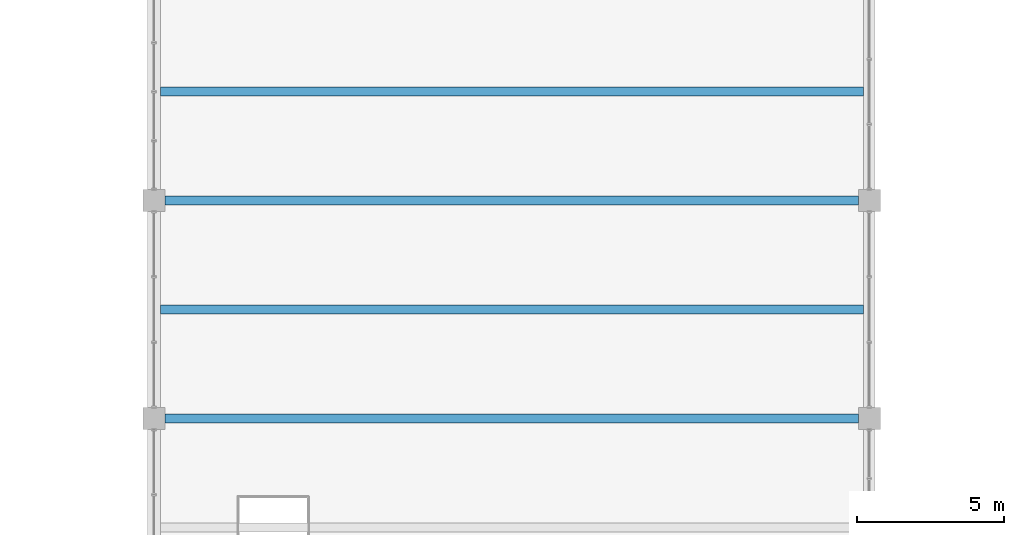
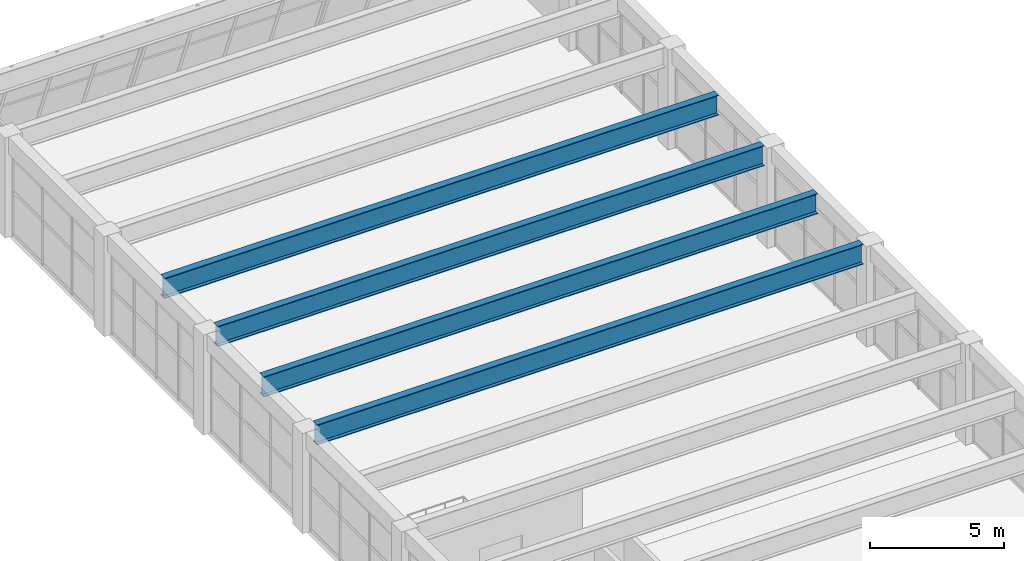
# One storey, part 89 of 161: 4 beams.
"""IFC4 building model written with IfcOpenShell, lengths in metres."""

from ifc_helpers import new_model, si_unit, direction, frame, origin, origin_2d, place, context, subcontext, project, spatial, i_section, extrude, material, material_profile, profile_set, type_object, element, save


model = new_model("IFC4")

# Units and contexts
model_context = context("Model", 3, precision=1e-05, world=origin(), true_north=direction((0.0, 1.0)))
body_context = subcontext(model_context, "Body", "Model", "MODEL_VIEW")
ifc_project = project(units=[si_unit("LENGTHUNIT", "METRE"), si_unit("AREAUNIT", "SQUARE_METRE"), si_unit("VOLUMEUNIT", "CUBIC_METRE"), si_unit("PLANEANGLEUNIT", "RADIAN"), si_unit("MASSUNIT", "GRAM", prefix="KILO")], contexts=[model_context])

# Site, building, storey
site_placement = place(None, origin())
site = spatial("IfcSite", under=ifc_project, at=site_placement, CompositionType="ELEMENT")
building_placement = place(site_placement, origin())
building = spatial("IfcBuilding", under=site, at=building_placement, Name="Cimatlan Art Gallery", CompositionType="ELEMENT")
storey_placement = place(building_placement, frame((0.0, 0.0, 5.39990234375)))
storey = spatial("IfcBuildingStorey", under=building, at=storey_placement, Name="L01", CompositionType="ELEMENT", Elevation=5.39990234375)

# Beams
ifc_material = material(Name="Steel ASTM A992 Grade 50", Category="steel")
ifc_material_profile = material_profile(ifc_material, i_section(OverallWidth=0.306884765625, OverallDepth=0.923095703125, WebThickness=0.018310546875, FlangeThickness=0.030029296875, at=origin_2d()), Name="W36X182")
ifc_profile_set = profile_set([ifc_material_profile], Name="Steel ASTM A992 Grade 50")
beam_type = type_object("IfcBeamType", Name="BM-SPAN24-L02", PredefinedType="BEAM", material=ifc_profile_set)
beam_1_placement = place(storey_placement, frame((75.27490234375, 83.10009765625, 4.0986328125), z_axis=(1.0, 0.0, 0.0), x_axis=(0.0, 1.0, 0.0)))
element("IfcBeam", 1, at=beam_1_placement, inside=storey, type_object=beam_type, Name="BM-SP24-L01-11", PredefinedType="BEAM", context=body_context, shape_type="SweptSolid", body=[
    extrude(i_section(OverallWidth=0.306884765625, OverallDepth=0.923095703125, WebThickness=0.018310546875, FlangeThickness=0.030029296875, at=origin_2d()), origin(), (0.0, 0.0, 1.0), 23.550048828125),
])
beam_2_placement = place(storey_placement, frame((75.125, 86.800048828125, 4.0986328125), z_axis=(1.0, 0.0, 0.0), x_axis=(0.0, 1.0, 0.0)))
element("IfcBeam", 2, at=beam_2_placement, inside=storey, type_object=beam_type, Name="BM-SP24M-L01-11", PredefinedType="BEAM", context=body_context, shape_type="SweptSolid", body=[
    extrude(i_section(OverallWidth=0.306884765625, OverallDepth=0.923095703125, WebThickness=0.018310546875, FlangeThickness=0.030029296875, at=origin_2d()), origin(), (0.0, 0.0, 1.0), 23.875),
])
beam_3_placement = place(storey_placement, frame((75.27490234375, 90.5, 4.0986328125), z_axis=(1.0, 0.0, 0.0), x_axis=(0.0, 1.0, 0.0)))
element("IfcBeam", 3, at=beam_3_placement, inside=storey, type_object=beam_type, Name="BM-SP24-L01-12", PredefinedType="BEAM", context=body_context, shape_type="SweptSolid", body=[
    extrude(i_section(OverallWidth=0.306884765625, OverallDepth=0.923095703125, WebThickness=0.018310546875, FlangeThickness=0.030029296875, at=origin_2d()), origin(), (0.0, 0.0, 1.0), 23.550048828125),
])
beam_4_placement = place(storey_placement, frame((75.125, 94.199951171875, 4.0986328125), z_axis=(1.0, 0.0, 0.0), x_axis=(0.0, 1.0, 0.0)))
element("IfcBeam", 4, at=beam_4_placement, inside=storey, type_object=beam_type, Name="BM-SP24M-L01-12", PredefinedType="BEAM", context=body_context, shape_type="SweptSolid", body=[
    extrude(i_section(OverallWidth=0.306884765625, OverallDepth=0.923095703125, WebThickness=0.018310546875, FlangeThickness=0.030029296875, at=origin_2d()), origin(), (0.0, 0.0, 1.0), 23.875),
])

save(model, "model.ifc")
